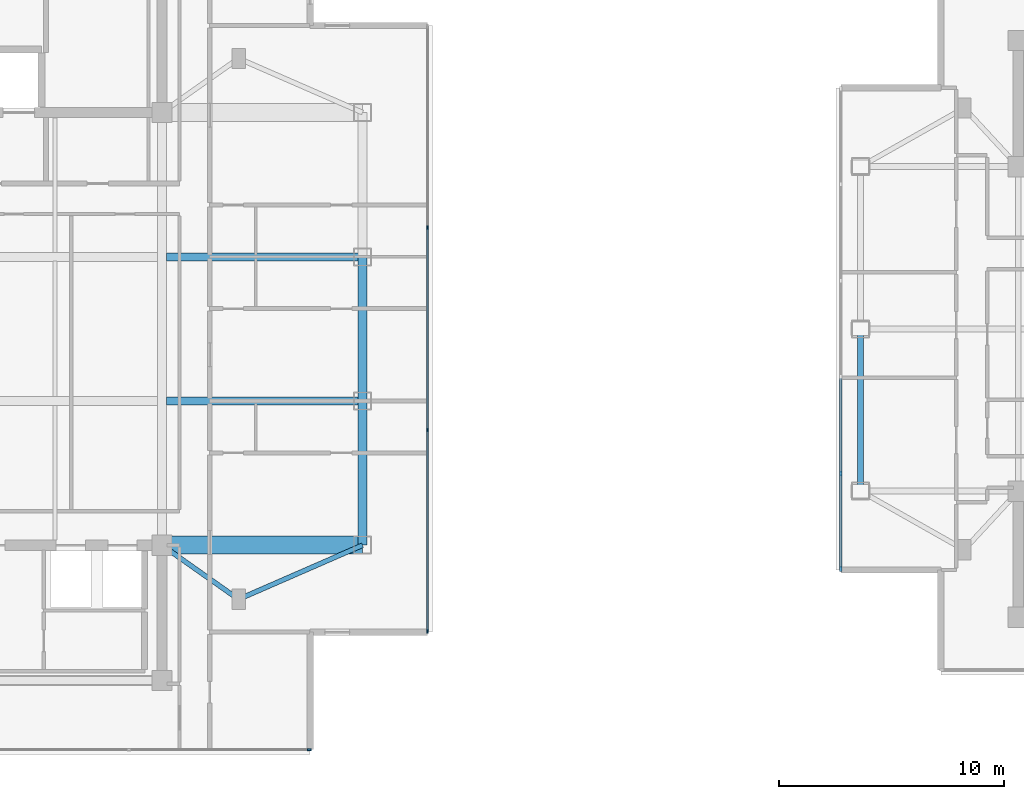
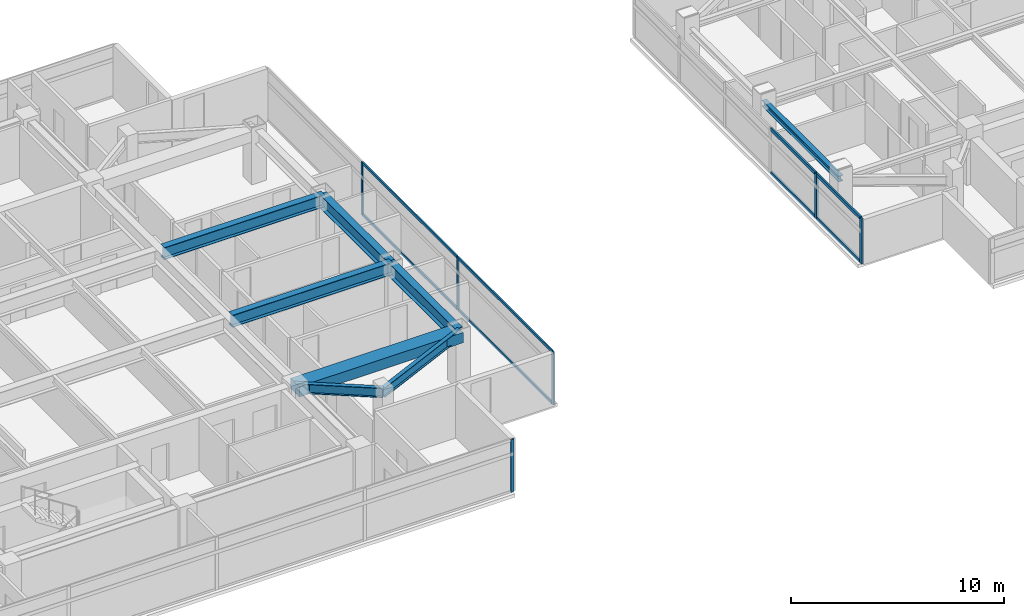
# One storey, part 4 of 21: 14 members, 8 beams, 3 elements without a shape of their own.
"""IFC4 building model written with IfcOpenShell, lengths in metres."""

from ifc_helpers import new_model, si_unit, direction, frame, origin, origin_2d, place, context, subcontext, project, spatial, rectangle, i_section, extrude, material, material_profile, profile_set, type_object, element, aggregate, save


model = new_model("IFC4")

# Units and contexts
model_context = context("Model", 3, precision=1e-05, world=origin(), true_north=direction((0.0, 1.0)))
body_context = subcontext(model_context, "Body", "Model", "MODEL_VIEW")
ifc_project = project(units=[si_unit("LENGTHUNIT", "METRE"), si_unit("AREAUNIT", "SQUARE_METRE"), si_unit("VOLUMEUNIT", "CUBIC_METRE"), si_unit("PLANEANGLEUNIT", "RADIAN"), si_unit("MASSUNIT", "GRAM", prefix="KILO")], contexts=[model_context])

# Site, building, storey
site_placement = place(None, origin())
site = spatial("IfcSite", under=ifc_project, at=site_placement, CompositionType="ELEMENT")
building_placement = place(site_placement, origin())
building = spatial("IfcBuilding", under=site, at=building_placement, Name="Mirazonda Arch Towers", CompositionType="ELEMENT")
storey_placement = place(building_placement, frame((0.0, 0.0, 206.39990234375)))
storey = spatial("IfcBuildingStorey", under=building, at=storey_placement, Name="L59", CompositionType="ELEMENT", Elevation=206.39990234375)

# Beams
ifc_material_1 = material(Name="Steel ASTM A992 Grade 50", Category="steel")
ifc_material_profile_1 = material_profile(ifc_material_1, i_section(OverallWidth=0.381103515625, OverallDepth=0.77294921875, WebThickness=0.0166015625, FlangeThickness=0.027099609375, at=origin_2d()), Name="W30X173")
ifc_profile_set_1 = profile_set([ifc_material_profile_1], Name="Steel ASTM A992 Grade 50")
beam_type_1 = type_object("IfcBeamType", Name="BM-EXT-W30X173", PredefinedType="USERDEFINED", material=ifc_profile_set_1)
beam_1_placement = place(storey_placement, frame((38.89990234375, 18.39990234375, 2.66357421875), z_axis=(0.0, 1.0, 0.0), x_axis=(-1.0, 0.0, 0.0)))
element("IfcBeam", 1, at=beam_1_placement, inside=storey, type_object=beam_type_1, Name="L59 Floor Beam BM-T1-L59-NS-E-18", ObjectType="GIRDER", PredefinedType="USERDEFINED", context=body_context, shape_type="SweptSolid", body=[
    extrude(i_section(OverallWidth=0.381103515625, OverallDepth=0.77294921875, WebThickness=0.0166015625, FlangeThickness=0.027099609375, at=origin_2d()), origin(), (0.0, 0.0, 1.0), 6.400146484375),
])
beam_2_placement = place(storey_placement, frame((38.89990234375, 24.800048828125, 2.66357421875), z_axis=(0.0, 1.0, 0.0), x_axis=(-1.0, 0.0, 0.0)))
element("IfcBeam", 2, at=beam_2_placement, inside=storey, type_object=beam_type_1, Name="L59 Floor Beam BM-T1-L59-NS-E-24", ObjectType="GIRDER", PredefinedType="USERDEFINED", context=body_context, shape_type="SweptSolid", body=[
    extrude(i_section(OverallWidth=0.381103515625, OverallDepth=0.77294921875, WebThickness=0.0166015625, FlangeThickness=0.027099609375, at=origin_2d()), origin(), (0.0, 0.0, 1.0), 6.39990234375),
])
ifc_material_profile_2 = material_profile(ifc_material_1, i_section(OverallWidth=0.257080078125, OverallDepth=0.330078125, WebThickness=0.011962890625, FlangeThickness=0.01953125, at=origin_2d()), Name="W10X68")
ifc_profile_set_2 = profile_set([ifc_material_profile_2], Name="Steel ASTM A992 Grade 50")
beam_type_2 = type_object("IfcBeamType", Name="BM-INT-W10X68", PredefinedType="BEAM", material=ifc_profile_set_2)
beam_3_placement = place(storey_placement, frame((61.0, 20.800048828125, 2.43505859375), z_axis=(0.0, 1.0, 0.0), x_axis=(-1.0, 0.0, 0.0)))
element("IfcBeam", 3, at=beam_3_placement, inside=storey, type_object=beam_type_2, Name="L59 Floor Beam BMT-T2-L59-NS-W-20", PredefinedType="BEAM", context=body_context, shape_type="SweptSolid", body=[
    extrude(i_section(OverallWidth=0.257080078125, OverallDepth=0.330078125, WebThickness=0.011962890625, FlangeThickness=0.01953125, at=origin_2d()), origin(), (0.0, 0.0, 1.0), 7.199951171875),
])
ifc_material_profile_3 = material_profile(ifc_material_1, i_section(OverallWidth=0.214111328125, OverallDepth=0.549072265625, WebThickness=0.0146484375, FlangeThickness=0.023681640625, at=origin_2d()), Name="W21X93")
ifc_profile_set_3 = profile_set([ifc_material_profile_3], Name="Steel ASTM A992 Grade 50")
beam_type_3 = type_object("IfcBeamType", Name="BM-INT-W21X93", PredefinedType="BEAM", material=ifc_profile_set_3)
beam_4_placement = place(storey_placement, frame((33.39990234375, 16.0, 2.775634765625), z_axis=(-0.816971114901, 0.576678591087, 0.0), x_axis=(-0.576678591087, -0.816971114901, 0.0)))
element("IfcBeam", 4, at=beam_4_placement, inside=storey, type_object=beam_type_3, Name="L59 Floor Beam BM-T1-L59-PL-SE1", PredefinedType="BEAM", context=body_context, shape_type="SweptSolid", body=[
    extrude(i_section(OverallWidth=0.214111328125, OverallDepth=0.549072265625, WebThickness=0.0146484375, FlangeThickness=0.023681640625, at=origin_2d()), origin(), (0.0, 0.0, 1.0), 4.16162109375),
])
beam_5_placement = place(storey_placement, frame((33.39990234375, 16.0, 2.775634765625), z_axis=(0.916545343703, 0.399930785183, 0.0), x_axis=(-0.399930785183, 0.916545343703, 0.0)))
element("IfcBeam", 5, at=beam_5_placement, inside=storey, type_object=beam_type_3, Name="L59 Floor Beam BM-T1-L59-PL-SE2", PredefinedType="BEAM", context=body_context, shape_type="SweptSolid", body=[
    extrude(i_section(OverallWidth=0.214111328125, OverallDepth=0.549072265625, WebThickness=0.0146484375, FlangeThickness=0.023681640625, at=origin_2d()), origin(), (0.0, 0.0, 1.0), 6.000732421875),
])
ifc_material_profile_4 = material_profile(ifc_material_1, i_section(OverallWidth=0.35498046875, OverallDepth=0.696044921875, WebThickness=0.015380859375, FlangeThickness=0.02490234375, at=origin_2d()), Name="W27X146")
ifc_profile_set_4 = profile_set([ifc_material_profile_4], Name="Steel ASTM A992 Grade 50")
beam_type_4 = type_object("IfcBeamType", Name="BM-INT-W27X146", PredefinedType="BEAM", material=ifc_profile_set_4)
for number, where, z_axis, x_axis, name in (
    (6, (30.199951171875, 24.800048828125, 2.7021484375), (1.0, 0.0, 0.0), (0.0, 1.0, 0.0), "L59 Floor Beam BM-T1-L59-GE2"),
    (7, (30.199951171875, 31.199951171875, 2.7021484375), (1.0, 0.0, 0.0), (0.0, 1.0, 0.0), "L59 Floor Beam BM-T1-L59-GE3"),
):
    element("IfcBeam", number, at=place(storey_placement, frame(where, z_axis=z_axis, x_axis=x_axis)), inside=storey, type_object=beam_type_4, Name=name, PredefinedType="BEAM", context=body_context, shape_type="SweptSolid", body=[
        extrude(i_section(OverallWidth=0.35498046875, OverallDepth=0.696044921875, WebThickness=0.015380859375, FlangeThickness=0.02490234375, at=origin_2d()), origin(), (0.0, 0.0, 1.0), 8.699951171875),
    ])
ifc_material_2 = material(Name="Concrete C60/75", Category="concrete")
ifc_material_profile_5 = material_profile(ifc_material_2, rectangle(XDim=0.800048828125, YDim=0.60009765625, at=origin_2d()), Name="RCCB800x600")
ifc_profile_set_5 = profile_set([ifc_material_profile_5], Name="Concrete C60/75")
beam_type_5 = type_object("IfcBeamType", Name="CB-INT-RCCB800x600", PredefinedType="SPANDREL", material=ifc_profile_set_5)
beam_6_placement = place(storey_placement, frame((30.0, 18.39990234375, 2.75), z_axis=(1.0, 0.0, 0.0), x_axis=(0.0, 1.0, 0.0)))
element("IfcBeam", 8, at=beam_6_placement, inside=storey, type_object=beam_type_5, Name="L59 Floor Beam CBC-T1-L59-SE", PredefinedType="SPANDREL", context=body_context, shape_type="SweptSolid", body=[
    extrude(rectangle(XDim=0.800048828125, YDim=0.60009765625, at=origin_2d()), origin(), (0.0, 0.0, 1.0), 8.89990234375),
])

# Curtain wall, members
ifc_material_3 = material(Name="Anodised Aluminium and Low-E Glass", Category="aluminium")
curtain_wall_type_1 = type_object("IfcCurtainWallType", Name="CW-OBS-LANTERN", PredefinedType="NOTDEFINED", material=ifc_material_3)
curtain_wall_1_placement = place(storey_placement, origin())
curtain_wall_1 = element("IfcCurtainWall", 9, at=curtain_wall_1_placement, inside=storey, type_object=curtain_wall_type_1, Name="L59 T2 W Facade CW-L59-T2-W", PredefinedType="NOTDEFINED")
ifc_material_4 = material(Name="Anodised Aluminium Alloy", Category="aluminium")
ifc_material_profile_6 = material_profile(ifc_material_4, rectangle(XDim=0.090087890625, YDim=0.2099609375, at=origin_2d()), Name="ALU-MULL-90x210")
ifc_profile_set_6 = profile_set([ifc_material_profile_6], Name="Anodised Aluminium Alloy")
member_type_1 = type_object("IfcMemberType", Name="MULL-CW-OBS-LANTERN", PredefinedType="MULLION", material=ifc_profile_set_6)
member_1_placement = place(storey_placement, frame((60.12255859375, 21.580810546875, 0.0), z_axis=(0.0, 0.0, 1.0), x_axis=(1.0, 0.0, 0.0)))
member_1 = element("IfcMember", 10, at=member_1_placement, type_object=member_type_1, Name="CW-110 mullion 5", PredefinedType="MULLION", context=body_context, shape_type="SweptSolid", body=[
    extrude(rectangle(XDim=0.090087890625, YDim=0.2099609375, at=origin_2d()), origin(), (0.0, 0.0, 1.0), 2.580078125),
])
member_2_placement = place(storey_placement, frame((60.12255859375, 17.34619140625, 0.0), z_axis=(0.0, 0.0, 1.0), x_axis=(1.0, 0.0, 0.0)))
member_2 = element("IfcMember", 11, at=member_2_placement, type_object=member_type_1, Name="CW-110 mullion 6", PredefinedType="MULLION", context=body_context, shape_type="SweptSolid", body=[
    extrude(rectangle(XDim=0.090087890625, YDim=0.2099609375, at=origin_2d()), origin(), (0.0, 0.0, 1.0), 2.580078125),
])

# Curtain wall, member
curtain_wall_type_2 = type_object("IfcCurtainWallType", Name="CW-RES-UNIT", PredefinedType="NOTDEFINED", material=ifc_material_3)
curtain_wall_2_placement = place(storey_placement, origin())
curtain_wall_2 = element("IfcCurtainWall", 12, at=curtain_wall_2_placement, inside=storey, type_object=curtain_wall_type_2, Name="L59 T1 S Facade CW-L59-T1-S", PredefinedType="NOTDEFINED")
ifc_material_profile_7 = material_profile(ifc_material_4, rectangle(XDim=0.074951171875, YDim=0.175048828125, at=origin_2d()), Name="ALU-MULL-75x175")
ifc_profile_set_7 = profile_set([ifc_material_profile_7], Name="Anodised Aluminium Alloy")
member_type_2 = type_object("IfcMemberType", Name="MULL-CW-RES-UNIT", PredefinedType="MULLION", material=ifc_profile_set_7)
member_3_placement = place(storey_placement, frame((36.53759765625, 9.323974609375, 0.0), z_axis=(0.0, 0.0, 1.0), x_axis=(0.0, -1.0, 0.0)))
member_3 = element("IfcMember", 13, at=member_3_placement, type_object=member_type_2, Name="CW-104 mullion 1", PredefinedType="MULLION", context=body_context, shape_type="SweptSolid", body=[
    extrude(rectangle(XDim=0.074951171875, YDim=0.175048828125, at=origin_2d()), origin(), (0.0, 0.0, 1.0), 3.030029296875),
])
aggregate(curtain_wall_2, [member_3])

# Curtain wall, members
curtain_wall_3_placement = place(storey_placement, origin())
curtain_wall_3 = element("IfcCurtainWall", 14, at=curtain_wall_3_placement, inside=storey, type_object=curtain_wall_type_2, Name="L59 T1 E Facade CW-L59-T1-E", PredefinedType="NOTDEFINED")
member_4_placement = place(storey_placement, frame((41.7900390625, 14.576416015625, 0.0), z_axis=(0.0, 0.0, 1.0), x_axis=(-1.0, 0.0, 0.0)))
member_4 = element("IfcMember", 15, at=member_4_placement, type_object=member_type_2, Name="CW-104 mullion 1", PredefinedType="MULLION", context=body_context, shape_type="SweptSolid", body=[
    extrude(rectangle(XDim=0.074951171875, YDim=0.175048828125, at=origin_2d()), origin(), (0.0, 0.0, 1.0), 3.030029296875),
])
member_5_placement = place(storey_placement, frame((41.7900390625, 23.512939453125, 0.0), z_axis=(0.0, 0.0, 1.0), x_axis=(-1.0, 0.0, 0.0)))
member_5 = element("IfcMember", 16, at=member_5_placement, type_object=member_type_2, Name="CW-104 mullion 2", PredefinedType="MULLION", context=body_context, shape_type="SweptSolid", body=[
    extrude(rectangle(XDim=0.074951171875, YDim=0.175048828125, at=origin_2d()), origin(), (0.0, 0.0, 1.0), 3.030029296875),
])
member_6_placement = place(storey_placement, frame((41.7900390625, 32.487060546875, 0.0), z_axis=(0.0, 0.0, 1.0), x_axis=(-1.0, 0.0, 0.0)))
member_6 = element("IfcMember", 17, at=member_6_placement, type_object=member_type_2, Name="CW-104 mullion 3", PredefinedType="MULLION", context=body_context, shape_type="SweptSolid", body=[
    extrude(rectangle(XDim=0.074951171875, YDim=0.175048828125, at=origin_2d()), origin(), (0.0, 0.0, 1.0), 3.030029296875),
])

# Member
ifc_material_profile_8 = material_profile(ifc_material_4, rectangle(XDim=0.090087890625, YDim=0.18994140625, at=origin_2d()), Name="ALU-TRAN-90x190")
ifc_profile_set_8 = profile_set([ifc_material_profile_8], Name="Anodised Aluminium Alloy")
member_type_3 = type_object("IfcMemberType", Name="TRAN-CW-OBS-LANTERN", PredefinedType="USERDEFINED", material=ifc_profile_set_8)
member_7_placement = place(storey_placement, frame((60.12255859375, 25.815185546875, 0.045166015625), z_axis=(0.0, -1.0, 0.0), x_axis=(1.0, 0.0, 0.0)))
member_7 = element("IfcMember", 18, at=member_7_placement, type_object=member_type_3, Name="CW-110 transom 4.1", ObjectType="TRANSOM", PredefinedType="USERDEFINED", context=body_context, shape_type="SweptSolid", body=[
    extrude(rectangle(XDim=0.090087890625, YDim=0.18994140625, at=origin_2d()), origin(), (0.0, 0.0, 1.0), 4.189453125),
])

member_8_placement = place(storey_placement, frame((60.12255859375, 25.815185546875, 2.53515625), z_axis=(0.0, -1.0, 0.0), x_axis=(1.0, 0.0, 0.0)))
member_8 = element("IfcMember", 19, at=member_8_placement, type_object=member_type_3, Name="CW-110 transom 4.2", ObjectType="TRANSOM", PredefinedType="USERDEFINED", context=body_context, shape_type="SweptSolid", body=[
    extrude(rectangle(XDim=0.090087890625, YDim=0.18994140625, at=origin_2d()), origin(), (0.0, 0.0, 1.0), 4.189453125),
])

member_9_placement = place(storey_placement, frame((60.12255859375, 21.53564453125, 0.045166015625), z_axis=(0.0, -1.0, 0.0), x_axis=(1.0, 0.0, 0.0)))
member_9 = element("IfcMember", 20, at=member_9_placement, type_object=member_type_3, Name="CW-110 transom 5.1", ObjectType="TRANSOM", PredefinedType="USERDEFINED", context=body_context, shape_type="SweptSolid", body=[
    extrude(rectangle(XDim=0.090087890625, YDim=0.18994140625, at=origin_2d()), origin(), (0.0, 0.0, 1.0), 4.14453125),
])

member_10_placement = place(storey_placement, frame((60.12255859375, 21.53564453125, 2.53515625), z_axis=(0.0, -1.0, 0.0), x_axis=(1.0, 0.0, 0.0)))
member_10 = element("IfcMember", 21, at=member_10_placement, type_object=member_type_3, Name="CW-110 transom 5.2", ObjectType="TRANSOM", PredefinedType="USERDEFINED", context=body_context, shape_type="SweptSolid", body=[
    extrude(rectangle(XDim=0.090087890625, YDim=0.18994140625, at=origin_2d()), origin(), (0.0, 0.0, 1.0), 4.14453125),
])

aggregate(curtain_wall_1, [member_1, member_2, member_7, member_8, member_9, member_10])

ifc_material_profile_9 = material_profile(ifc_material_4, rectangle(XDim=0.074951171875, YDim=0.155029296875, at=origin_2d()), Name="ALU-TRAN-75x155")
ifc_profile_set_9 = profile_set([ifc_material_profile_9], Name="Anodised Aluminium Alloy")
member_type_4 = type_object("IfcMemberType", Name="TRAN-CW-RES-UNIT", PredefinedType="USERDEFINED", material=ifc_profile_set_9)
member_11_placement = place(storey_placement, frame((41.7900390625, 14.614013671875, 0.03759765625), z_axis=(0.0, 1.0, 0.0), x_axis=(-1.0, 0.0, 0.0)))
member_11 = element("IfcMember", 22, at=member_11_placement, type_object=member_type_4, Name="CW-104 transom 1.1", ObjectType="TRANSOM", PredefinedType="USERDEFINED", context=body_context, shape_type="SweptSolid", body=[
    extrude(rectangle(XDim=0.074951171875, YDim=0.155029296875, at=origin_2d()), origin(), (0.0, 0.0, 1.0), 8.861572265625),
])

member_12_placement = place(storey_placement, frame((41.7900390625, 14.614013671875, 2.99267578125), z_axis=(0.0, 1.0, 0.0), x_axis=(-1.0, 0.0, 0.0)))
member_12 = element("IfcMember", 23, at=member_12_placement, type_object=member_type_4, Name="CW-104 transom 1.2", ObjectType="TRANSOM", PredefinedType="USERDEFINED", context=body_context, shape_type="SweptSolid", body=[
    extrude(rectangle(XDim=0.074951171875, YDim=0.155029296875, at=origin_2d()), origin(), (0.0, 0.0, 1.0), 8.861572265625),
])

member_13_placement = place(storey_placement, frame((41.7900390625, 23.550537109375, 0.03759765625), z_axis=(0.0, 1.0, 0.0), x_axis=(-1.0, 0.0, 0.0)))
member_13 = element("IfcMember", 24, at=member_13_placement, type_object=member_type_4, Name="CW-104 transom 2.1", ObjectType="TRANSOM", PredefinedType="USERDEFINED", context=body_context, shape_type="SweptSolid", body=[
    extrude(rectangle(XDim=0.074951171875, YDim=0.155029296875, at=origin_2d()), origin(), (0.0, 0.0, 1.0), 8.89892578125),
])

member_14_placement = place(storey_placement, frame((41.7900390625, 23.550537109375, 2.99267578125), z_axis=(0.0, 1.0, 0.0), x_axis=(-1.0, 0.0, 0.0)))
member_14 = element("IfcMember", 25, at=member_14_placement, type_object=member_type_4, Name="CW-104 transom 2.2", ObjectType="TRANSOM", PredefinedType="USERDEFINED", context=body_context, shape_type="SweptSolid", body=[
    extrude(rectangle(XDim=0.074951171875, YDim=0.155029296875, at=origin_2d()), origin(), (0.0, 0.0, 1.0), 8.89892578125),
])

aggregate(curtain_wall_3, [member_4, member_5, member_6, member_11, member_12, member_13, member_14])

save(model, "model.ifc")
